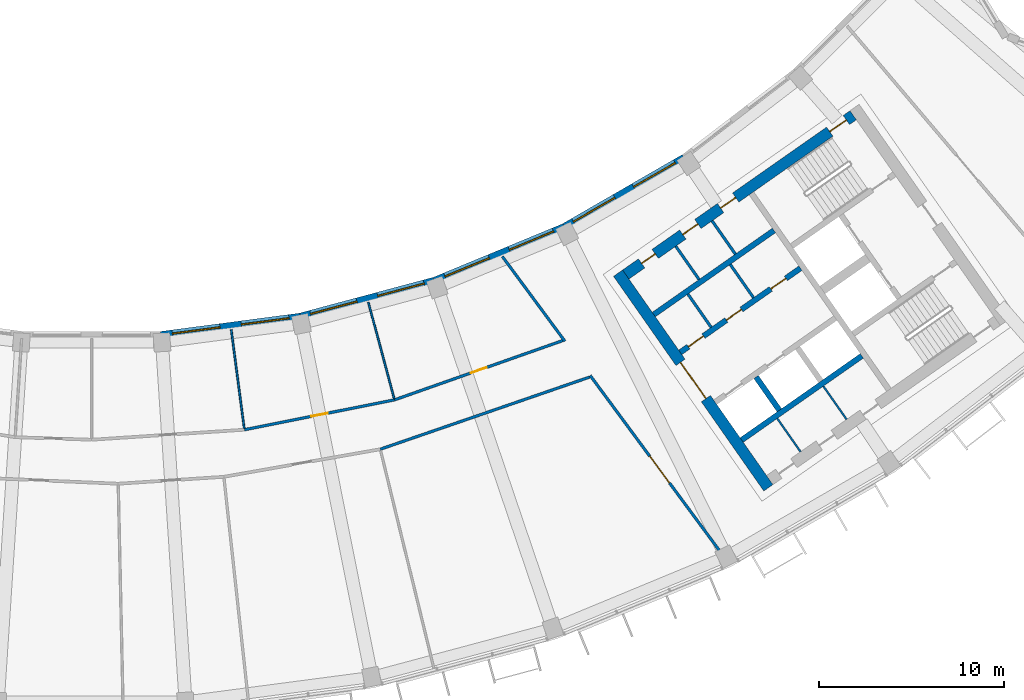
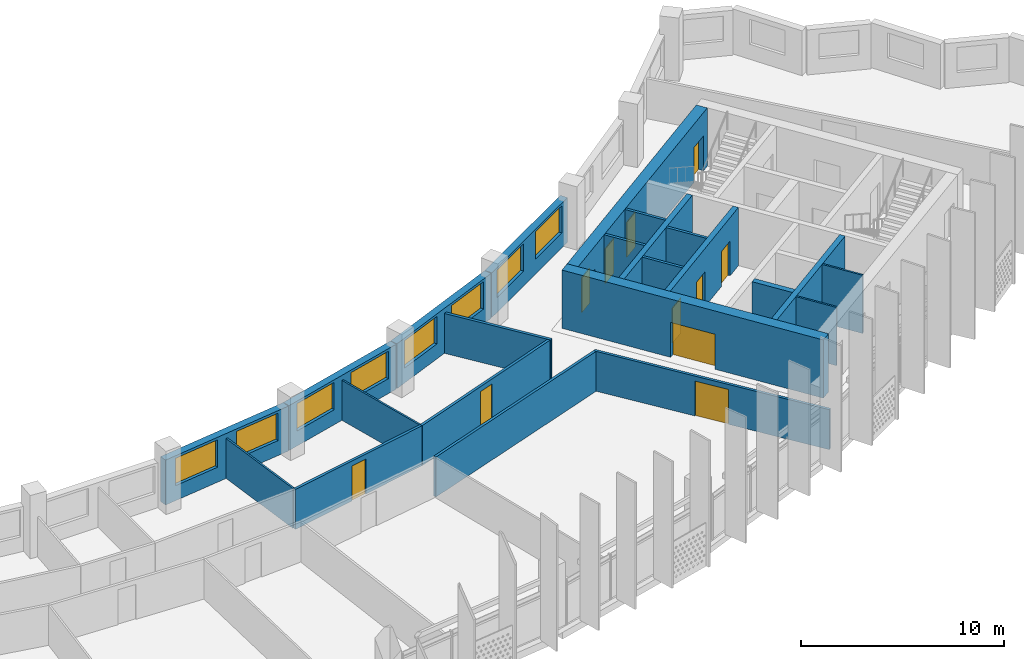
# One storey, part 6 of 28: 23 walls, 11 doors, 8 windows, 19 openings.
"""IFC4 building model written with IfcOpenShell, lengths in metres."""

from ifc_helpers import new_model, si_unit, direction, frame, frame_2d, origin, place, context, subcontext, project, spatial, rectangle, extrude, material, layer, layer_set, type_object, element, fill, save


model = new_model("IFC4")

# Units and contexts
model_context = context("Model", 3, precision=1e-05, world=origin(), true_north=direction((0.0, 1.0)))
body_context = subcontext(model_context, "Body", "Model", "MODEL_VIEW")
ifc_project = project(units=[si_unit("LENGTHUNIT", "METRE"), si_unit("AREAUNIT", "SQUARE_METRE"), si_unit("VOLUMEUNIT", "CUBIC_METRE"), si_unit("PLANEANGLEUNIT", "RADIAN"), si_unit("MASSUNIT", "GRAM", prefix="KILO")], contexts=[model_context])

# Site, building, storey
site_placement = place(None, origin())
site = spatial("IfcSite", under=ifc_project, at=site_placement, CompositionType="ELEMENT")
building_placement = place(site_placement, origin())
building = spatial("IfcBuilding", under=site, at=building_placement, Name="Qamariyya Broadcast Tower", CompositionType="ELEMENT")
storey_placement = place(building_placement, frame((0.0, 0.0, 265.699951171875)))
storey = spatial("IfcBuildingStorey", under=building, at=storey_placement, Name="L64", CompositionType="ELEMENT", Elevation=265.699951171875)

# Wall, opening, door
ifc_material_1 = material(Name="Concrete C60/75", Category="concrete")
ifc_layer_1 = layer(ifc_material_1, 0.60009765625)
ifc_layer_set_1 = layer_set([ifc_layer_1], Name="Core wall 600 mm Concrete C60/75")
wall_type_1 = type_object("IfcWallType", Name="Core wall 600 mm Concrete C60/75", PredefinedType="SHEAR", material=ifc_layer_set_1)
wall_1_placement = place(storey_placement, frame((36.66748046875, -66.005126953125, 0.0), z_axis=(0.0, 0.0, 1.0), x_axis=(-0.573568499524, 0.819157601658, 0.0)))
wall_1 = element("IfcWall", 1, at=wall_1_placement, inside=storey, type_object=wall_type_1, Name="k-E-L64-WA", PredefinedType="SHEAR", context=body_context, shape_type="SweptSolid", body=[
    extrude(rectangle(XDim=14.19970703125, YDim=0.60009765625, at=frame_2d((7.099853515625, 0.0))), origin(), (0.0, 0.0, 1.0), 3.5),
])
opening_1_placement = place(wall_1_placement, frame((5.89990234375, 0.0, 0.0)))
opening_1 = element("IfcOpeningElement", 2, at=opening_1_placement, cuts=wall_1, Name="Opening KD3-E1", PredefinedType="OPENING", context=body_context, shape_type="SweptSolid", body=[
    extrude(rectangle(XDim=2.39990234375, YDim=2.10009765625, at=frame_2d((1.199951171875, 1.050048828125))), frame((0.0, 0.31005859375, 0.0), z_axis=(0.0, -1.0, 0.0), x_axis=(1.0, 0.0, 0.0)), (0.0, 0.0, 1.0), 0.6201171875),
])
ifc_material_2 = material(Name="Steel fire-resisting door leaf", Category="steel")
door_type_1 = type_object("IfcDoorType", Name="Lift lobby door KD3", OperationType="DOUBLE_DOOR_SINGLE_SWING", PredefinedType="DOOR", material=ifc_material_2)
door_1_placement = place(opening_1_placement, origin())
door_1 = element("IfcDoor", 3, at=door_1_placement, inside=storey, type_object=door_type_1, Name="k-E-L64-WA-D1", OperationType="DOUBLE_DOOR_SINGLE_SWING", OverallHeight=2.10009765625, OverallWidth=2.39990234375, PredefinedType="DOOR", context=body_context, shape_type="SweptSolid", body=[
    extrude(rectangle(XDim=2.39990234375, YDim=2.10009765625, at=frame_2d((1.199951171875, 1.050048828125))), frame((0.0, 0.02490234375, 0.0), z_axis=(0.0, -1.0, 0.0), x_axis=(1.0, 0.0, 0.0)), (0.0, 0.0, 1.0), 0.050048828125),
])
fill(opening_1, door_1)

# Wall, openings, doors
wall_2_placement = place(storey_placement, frame((28.940673828125, -54.447021484375, 0.0), z_axis=(0.0, 0.0, 1.0), x_axis=(0.819153391756, 0.573574511963, 0.0)))
wall_2 = element("IfcWall", 4, at=wall_2_placement, inside=storey, type_object=wall_type_1, Name="k-E-L64-WI", PredefinedType="SHEAR", context=body_context, shape_type="SweptSolid", body=[
    extrude(rectangle(XDim=15.04541015625, YDim=0.60009765625, at=frame_2d((7.522705078125, 0.0))), origin(), (0.0, 0.0, 1.0), 3.5),
])
opening_2_placement = place(wall_2_placement, frame((1.050048828125, 0.0, 0.0)))
opening_2 = element("IfcOpeningElement", 5, at=opening_2_placement, cuts=wall_2, Name="Opening KD5-E1", PredefinedType="OPENING", context=body_context, shape_type="SweptSolid", body=[
    extrude(rectangle(XDim=0.89990234375, YDim=2.10009765625, at=frame_2d((0.449951171875, 1.050048828125))), frame((0.0, 0.31005859375, 0.0), z_axis=(0.0, -1.0, 0.0), x_axis=(1.0, 0.0, 0.0)), (0.0, 0.0, 1.0), 0.6201171875),
])
opening_3_placement = place(wall_2_placement, frame((3.77490234375, 0.0, 0.0)))
opening_3 = element("IfcOpeningElement", 6, at=opening_3_placement, cuts=wall_2, Name="Opening KD7-E1", PredefinedType="OPENING", context=body_context, shape_type="SweptSolid", body=[
    extrude(rectangle(XDim=1.0, YDim=2.10009765625, at=frame_2d((0.5, 1.050048828125))), frame((0.0, 0.31005859375, 0.0), z_axis=(0.0, -1.0, 0.0), x_axis=(1.0, 0.0, 0.0)), (0.0, 0.0, 1.0), 0.6201171875),
])
opening_4_placement = place(wall_2_placement, frame((6.27490234375, 0.0, 0.0)))
opening_4 = element("IfcOpeningElement", 7, at=opening_4_placement, cuts=wall_2, Name="Opening KD6-E3", PredefinedType="OPENING", context=body_context, shape_type="SweptSolid", body=[
    extrude(rectangle(XDim=1.0, YDim=2.10009765625, at=frame_2d((0.5, 1.050048828125))), frame((0.0, 0.31005859375, 0.0), z_axis=(0.0, -1.0, 0.0), x_axis=(1.0, 0.0, 0.0)), (0.0, 0.0, 1.0), 0.6201171875),
])
opening_5_placement = place(wall_2_placement, frame((13.495361328125, 0.0, 0.0)))
opening_5 = element("IfcOpeningElement", 8, at=opening_5_placement, cuts=wall_2, Name="Opening KD1-E1", PredefinedType="OPENING", context=body_context, shape_type="SweptSolid", body=[
    extrude(rectangle(XDim=1.10009765625, YDim=2.10009765625, at=frame_2d((0.550048828125, 1.050048828125))), frame((0.0, 0.31005859375, 0.0), z_axis=(0.0, -1.0, 0.0), x_axis=(1.0, 0.0, 0.0)), (0.0, 0.0, 1.0), 0.6201171875),
])
door_type_2 = type_object("IfcDoorType", Name="Accessible toilet door KD7", OperationType="SINGLE_SWING_LEFT", PredefinedType="DOOR", material=ifc_material_2)
door_2_placement = place(opening_3_placement, origin())
door_2 = element("IfcDoor", 9, at=door_2_placement, inside=storey, type_object=door_type_2, Name="k-E-L64-WI-D8", OperationType="SINGLE_SWING_RIGHT", OverallHeight=2.10009765625, OverallWidth=1.0, PredefinedType="DOOR", context=body_context, shape_type="SweptSolid", body=[
    extrude(rectangle(XDim=1.0, YDim=2.10009765625, at=frame_2d((0.5, 1.050048828125))), frame((0.0, 0.02490234375, 0.0), z_axis=(0.0, -1.0, 0.0), x_axis=(1.0, 0.0, 0.0)), (0.0, 0.0, 1.0), 0.050048828125),
])
fill(opening_3, door_2)
door_type_3 = type_object("IfcDoorType", Name="Core room door KD6", OperationType="SINGLE_SWING_LEFT", PredefinedType="DOOR", material=ifc_material_2)
door_3_placement = place(opening_4_placement, origin())
door_3 = element("IfcDoor", 10, at=door_3_placement, inside=storey, type_object=door_type_3, Name="k-E-L64-WI-D9", OperationType="SINGLE_SWING_LEFT", OverallHeight=2.10009765625, OverallWidth=1.0, PredefinedType="DOOR", context=body_context, shape_type="SweptSolid", body=[
    extrude(rectangle(XDim=1.0, YDim=2.10009765625, at=frame_2d((0.5, 1.050048828125))), frame((0.0, 0.02490234375, 0.0), z_axis=(0.0, -1.0, 0.0), x_axis=(1.0, 0.0, 0.0)), (0.0, 0.0, 1.0), 0.050048828125),
])
fill(opening_4, door_3)
door_type_4 = type_object("IfcDoorType", Name="Stair door KD1", OperationType="SINGLE_SWING_LEFT", PredefinedType="DOOR", material=ifc_material_2)
door_4_placement = place(opening_5_placement, origin())
door_4 = element("IfcDoor", 11, at=door_4_placement, inside=storey, type_object=door_type_4, Name="k-E-L64-WI-D16", OperationType="SINGLE_SWING_RIGHT", OverallHeight=2.10009765625, OverallWidth=1.10009765625, PredefinedType="DOOR", context=body_context, shape_type="SweptSolid", body=[
    extrude(rectangle(XDim=1.10009765625, YDim=2.10009765625, at=frame_2d((0.550048828125, 1.050048828125))), frame((0.0, 0.02490234375, 0.0), z_axis=(0.0, -1.0, 0.0), x_axis=(1.0, 0.0, 0.0)), (0.0, 0.0, 1.0), 0.050048828125),
])
fill(opening_5, door_4)
door_type_5 = type_object("IfcDoorType", Name="Toilet door KD5", OperationType="SINGLE_SWING_LEFT", PredefinedType="DOOR", material=ifc_material_2)
door_5_placement = place(opening_2_placement, origin())
door_5 = element("IfcDoor", 12, at=door_5_placement, inside=storey, type_object=door_type_5, Name="k-E-L64-WI-D7", OperationType="SINGLE_SWING_LEFT", OverallHeight=2.10009765625, OverallWidth=0.89990234375, PredefinedType="DOOR", context=body_context, shape_type="SweptSolid", body=[
    extrude(rectangle(XDim=0.89990234375, YDim=2.10009765625, at=frame_2d((0.449951171875, 1.050048828125))), frame((0.0, 0.02490234375, 0.0), z_axis=(0.0, -1.0, 0.0), x_axis=(1.0, 0.0, 0.0)), (0.0, 0.0, 1.0), 0.050048828125),
])
fill(opening_2, door_5)

# Wall, opening, door
ifc_material_3 = material(Name="Gypsum board partition")
ifc_layer_2 = layer(ifc_material_3, 0.14990234375)
ifc_layer_set_2 = layer_set([ifc_layer_2], Name="Corridor partition 150 EI 60")
wall_type_2 = type_object("IfcWallType", Name="Corridor partition 150 EI 60", PredefinedType="PARTITIONING", material=ifc_layer_set_2)
wall_3_placement = place(storey_placement, frame((8.275390625, -62.857666015625, 0.0), z_axis=(0.0, 0.0, 1.0), x_axis=(0.98078508005, 0.195091329256, 0.0)))
wall_3 = element("IfcWall", 13, at=wall_3_placement, inside=storey, type_object=wall_type_2, Name="Partition L64-022", PredefinedType="PARTITIONING", context=body_context, shape_type="SweptSolid", body=[
    extrude(rectangle(XDim=8.293212890625, YDim=0.14990234375, at=frame_2d((4.146484375, 0.0))), origin(), (0.0, 0.0, 1.0), 2.400146484375),
])
opening_6_placement = place(wall_3_placement, frame((3.696533203125, 0.0, 0.0)))
opening_6 = element("IfcOpeningElement", 14, at=opening_6_placement, cuts=wall_3, Name="Opening L64-D12", PredefinedType="OPENING", context=body_context, shape_type="SweptSolid", body=[
    extrude(rectangle(XDim=0.89990234375, YDim=2.10009765625, at=frame_2d((0.449951171875, 1.050048828125))), frame((0.0, 0.0849609375, 0.0), z_axis=(0.0, -1.0, 0.0), x_axis=(1.0, 0.0, 0.0)), (0.0, 0.0, 1.0), 0.169921875),
])
ifc_material_4 = material(Name="Timber fire door leaf", Category="wood")
door_type_6 = type_object("IfcDoorType", Name="Fire door 900 x 2100 FD60", OperationType="NOTDEFINED", PredefinedType="DOOR", material=ifc_material_4)
door_6_placement = place(opening_6_placement, origin())
door_6 = element("IfcDoor", 15, at=door_6_placement, inside=storey, type_object=door_type_6, Name="Door L64-D12", OperationType="SINGLE_SWING_RIGHT", OverallHeight=2.10009765625, OverallWidth=0.89990234375, PredefinedType="DOOR", context=body_context, shape_type="SweptSolid", body=[
    extrude(rectangle(XDim=0.89990234375, YDim=2.10009765625, at=frame_2d((0.449951171875, 1.050048828125))), frame((0.0, 0.02490234375, 0.0), z_axis=(0.0, -1.0, 0.0), x_axis=(1.0, 0.0, 0.0)), (0.0, 0.0, 1.0), 0.050048828125),
])
fill(opening_6, door_6)

# Wall
wall_4_placement = place(storey_placement, frame((15.637939453125, -63.914794921875, 0.0), z_axis=(0.0, 0.0, 1.0), x_axis=(0.94543542925, 0.325809528895, 0.0)))
element("IfcWall", 16, at=wall_4_placement, inside=storey, type_object=wall_type_2, Name="Partition L64-025", PredefinedType="PARTITIONING", context=body_context, shape_type="SweptSolid", body=[
    extrude(rectangle(XDim=12.003662109375, YDim=0.14990234375, at=frame_2d((6.001953125, 0.0))), origin(), (0.0, 0.0, 1.0), 2.400146484375),
])

# Wall, opening, door
wall_5_placement = place(storey_placement, frame((16.4091796875, -61.23974609375, 0.0), z_axis=(0.0, 0.0, 1.0), x_axis=(0.94318552037, 0.332266570941, 0.0)))
wall_5 = element("IfcWall", 17, at=wall_5_placement, inside=storey, type_object=wall_type_2, Name="Partition L64-026", PredefinedType="PARTITIONING", context=body_context, shape_type="SweptSolid", body=[
    extrude(rectangle(XDim=9.66748046875, YDim=0.14990234375, at=frame_2d((4.833740234375, 0.0))), origin(), (0.0, 0.0, 1.0), 2.400146484375),
])
opening_7_placement = place(wall_5_placement, frame((4.3837890625, 0.0, 0.0)))
opening_7 = element("IfcOpeningElement", 18, at=opening_7_placement, cuts=wall_5, Name="Opening L64-D13", PredefinedType="OPENING", context=body_context, shape_type="SweptSolid", body=[
    extrude(rectangle(XDim=0.89990234375, YDim=2.10009765625, at=frame_2d((0.449951171875, 1.050048828125))), frame((0.0, 0.0849609375, 0.0), z_axis=(0.0, -1.0, 0.0), x_axis=(1.0, 0.0, 0.0)), (0.0, 0.0, 1.0), 0.169921875),
])
door_7_placement = place(opening_7_placement, origin())
door_7 = element("IfcDoor", 19, at=door_7_placement, inside=storey, type_object=door_type_6, Name="Door L64-D13", OperationType="SINGLE_SWING_RIGHT", OverallHeight=2.10009765625, OverallWidth=0.89990234375, PredefinedType="DOOR", context=body_context, shape_type="SweptSolid", body=[
    extrude(rectangle(XDim=0.89990234375, YDim=2.10009765625, at=frame_2d((0.449951171875, 1.050048828125))), frame((0.0, 0.02490234375, 0.0), z_axis=(0.0, -1.0, 0.0), x_axis=(1.0, 0.0, 0.0)), (0.0, 0.0, 1.0), 0.050048828125),
])
fill(opening_7, door_7)

# Wall
wall_6_placement = place(storey_placement, frame((22.251953125, -53.469482421875, 0.0), z_axis=(0.0, 0.0, 1.0), x_axis=(0.593872728047, -0.804558999006, 0.0)))
element("IfcWall", 20, at=wall_6_placement, inside=storey, type_object=wall_type_2, Name="Partition L64-028", PredefinedType="PARTITIONING", context=body_context, shape_type="SweptSolid", body=[
    extrude(rectangle(XDim=5.709228515625, YDim=0.14990234375, at=frame_2d((2.8544921875, 0.0))), origin(), (0.0, 0.0, 1.0), 2.400146484375),
])

# Wall, opening, door
wall_7_placement = place(storey_placement, frame((34.534423828125, -70.109130859375, 0.0), z_axis=(0.0, 0.0, 1.0), x_axis=(-0.593869528805, 0.804561360467, 0.0)))
wall_7 = element("IfcWall", 21, at=wall_7_placement, inside=storey, type_object=wall_type_2, Name="Partition L64-029", PredefinedType="PARTITIONING", context=body_context, shape_type="SweptSolid", body=[
    extrude(rectangle(XDim=12.665283203125, YDim=0.14990234375, at=frame_2d((6.33251953125, 0.0))), origin(), (0.0, 0.0, 1.0), 2.400146484375),
])
opening_8_placement = place(wall_7_placement, frame((5.4326171875, 0.0, 0.0)))
opening_8 = element("IfcOpeningElement", 22, at=opening_8_placement, cuts=wall_7, Name="Opening L64-D07", PredefinedType="OPENING", context=body_context, shape_type="SweptSolid", body=[
    extrude(rectangle(XDim=1.800048828125, YDim=2.10009765625, at=frame_2d((0.89990234375, 1.050048828125))), frame((0.0, 0.0849609375, 0.0), z_axis=(0.0, -1.0, 0.0), x_axis=(1.0, 0.0, 0.0)), (0.0, 0.0, 1.0), 0.169921875),
])
door_type_7 = type_object("IfcDoorType", Name="Double fire door 1800 x 2100 FD60", OperationType="NOTDEFINED", PredefinedType="DOOR", material=ifc_material_4)
door_8_placement = place(opening_8_placement, origin())
door_8 = element("IfcDoor", 23, at=door_8_placement, inside=storey, type_object=door_type_7, Name="Door L64-D07", OperationType="DOUBLE_DOOR_SINGLE_SWING", OverallHeight=2.10009765625, OverallWidth=1.800048828125, PredefinedType="DOOR", context=body_context, shape_type="SweptSolid", body=[
    extrude(rectangle(XDim=1.800048828125, YDim=2.10009765625, at=frame_2d((0.89990234375, 1.050048828125))), frame((0.0, 0.02490234375, 0.0), z_axis=(0.0, -1.0, 0.0), x_axis=(1.0, 0.0, 0.0)), (0.0, 0.0, 1.0), 0.050048828125),
])
fill(opening_8, door_8)

# Walls
ifc_material_5 = material(Name="Gypsum board partition on steel studs", Category="steel")
ifc_layer_3 = layer(ifc_material_5, 0.14990234375)
ifc_layer_set_3 = layer_set([ifc_layer_3], Name="Gypsum board partition 150 mm")
wall_type_3 = type_object("IfcWallType", Name="Gypsum board partition 150 mm", PredefinedType="PARTITIONING", material=ifc_layer_set_3)
for number, where, z_axis, x_axis, name in (
    (24, (33.569580078125, -57.3095703125, 0.0), (0.0, 0.0, 1.0), (-0.573507030513, 0.819200638399, 0.0), "k-E-L64-NC215"),
    (25, (35.86328125, -55.70361328125, 0.0), (0.0, 0.0, 1.0), (-0.573507030513, 0.819200638399, 0.0), "k-E-L64-NC495"),
):
    element("IfcWall", number, at=place(storey_placement, frame(where, z_axis=z_axis, x_axis=x_axis)), inside=storey, type_object=wall_type_3, Name=name, PredefinedType="PARTITIONING", context=body_context, shape_type="SweptSolid", body=[
        extrude(rectangle(XDim=2.199951171875, YDim=0.14990234375, at=frame_2d((1.10009765625, 0.0))), origin(), (0.0, 0.0, 1.0), 3.5),
    ])
wall_8_placement = place(storey_placement, frame((32.9140625, -54.716796875, 0.0), z_axis=(0.0, 0.0, 1.0), x_axis=(-0.573581496053, 0.819148501424, 0.0)))
element("IfcWall", 26, at=wall_8_placement, inside=storey, type_object=wall_type_3, Name="k-E-L64-NP310", PredefinedType="PARTITIONING", context=body_context, shape_type="SweptSolid", body=[
    extrude(rectangle(XDim=2.2001953125, YDim=0.14990234375, at=frame_2d((1.10009765625, 0.0))), origin(), (0.0, 0.0, 1.0), 3.5),
])
wall_9_placement = place(storey_placement, frame((34.8798828125, -53.340087890625, 0.0), z_axis=(0.0, 0.0, 1.0), x_axis=(-0.573559170999, 0.819164133348, 0.0)))
element("IfcWall", 27, at=wall_9_placement, inside=storey, type_object=wall_type_3, Name="k-E-L64-NP550", PredefinedType="PARTITIONING", context=body_context, shape_type="SweptSolid", body=[
    extrude(rectangle(XDim=2.19970703125, YDim=0.14990234375, at=frame_2d((1.099853515625, 0.0))), origin(), (0.0, 0.0, 1.0), 3.5),
])

# Wall, openings, doors
ifc_layer_4 = layer(ifc_material_1, 0.300048828125)
ifc_layer_set_4 = layer_set([ifc_layer_4], Name="Lift shaft wall 300 mm Concrete C60/75")
wall_type_4 = type_object("IfcWallType", Name="Lift shaft wall 300 mm Concrete C60/75", PredefinedType="SOLIDWALL", material=ifc_layer_set_4)
wall_10_placement = place(storey_placement, frame((31.89453125, -58.66552734375, 0.0), z_axis=(0.0, 0.0, 1.0), x_axis=(0.819166993208, 0.573555086491, 0.0)))
wall_10 = element("IfcWall", 28, at=wall_10_placement, inside=storey, type_object=wall_type_4, Name="k-E-L64-NF0", PredefinedType="SOLIDWALL", context=body_context, shape_type="SweptSolid", body=[
    extrude(rectangle(XDim=7.9501953125, YDim=0.300048828125, at=frame_2d((3.97509765625, 0.0))), origin(), (0.0, 0.0, 1.0), 3.5),
])
opening_9_placement = place(wall_10_placement, frame((0.53759765625, 0.0, 0.0)))
opening_9 = element("IfcOpeningElement", 29, at=opening_9_placement, cuts=wall_10, Name="Opening KD6-E1", PredefinedType="OPENING", context=body_context, shape_type="SweptSolid", body=[
    extrude(rectangle(XDim=1.0, YDim=2.10009765625, at=frame_2d((0.5, 1.050048828125))), frame((0.0, 0.159912109375, 0.0), z_axis=(0.0, -1.0, 0.0), x_axis=(1.0, 0.0, 0.0)), (0.0, 0.0, 1.0), 0.320068359375),
])
opening_10_placement = place(wall_10_placement, frame((3.050048828125, 0.0, 0.0)))
opening_10 = element("IfcOpeningElement", 30, at=opening_10_placement, cuts=wall_10, Name="Opening KD6-E2", PredefinedType="OPENING", context=body_context, shape_type="SweptSolid", body=[
    extrude(rectangle(XDim=1.0, YDim=2.10009765625, at=frame_2d((0.5, 1.050048828125))), frame((0.0, 0.159912109375, 0.0), z_axis=(0.0, -1.0, 0.0), x_axis=(1.0, 0.0, 0.0)), (0.0, 0.0, 1.0), 0.320068359375),
])
opening_11_placement = place(wall_10_placement, frame((5.987548828125, 0.0, 0.0)))
opening_11 = element("IfcOpeningElement", 31, at=opening_11_placement, cuts=wall_10, Name="Opening KD4-E1", PredefinedType="OPENING", context=body_context, shape_type="SweptSolid", body=[
    extrude(rectangle(XDim=1.0, YDim=2.10009765625, at=frame_2d((0.5, 1.050048828125))), frame((0.0, 0.159912109375, 0.0), z_axis=(0.0, -1.0, 0.0), x_axis=(1.0, 0.0, 0.0)), (0.0, 0.0, 1.0), 0.320068359375),
])
door_9_placement = place(opening_9_placement, origin())
door_9 = element("IfcDoor", 32, at=door_9_placement, inside=storey, type_object=door_type_3, Name="k-E-L64-NF0-D2", OperationType="SINGLE_SWING_RIGHT", OverallHeight=2.10009765625, OverallWidth=1.0, PredefinedType="DOOR", context=body_context, shape_type="SweptSolid", body=[
    extrude(rectangle(XDim=1.0, YDim=2.10009765625, at=frame_2d((0.5, 1.050048828125))), frame((0.0, 0.02490234375, 0.0), z_axis=(0.0, -1.0, 0.0), x_axis=(1.0, 0.0, 0.0)), (0.0, 0.0, 1.0), 0.050048828125),
])
fill(opening_9, door_9)
door_10_placement = place(opening_10_placement, origin())
door_10 = element("IfcDoor", 33, at=door_10_placement, inside=storey, type_object=door_type_3, Name="k-E-L64-NF0-D3", OperationType="SINGLE_SWING_LEFT", OverallHeight=2.10009765625, OverallWidth=1.0, PredefinedType="DOOR", context=body_context, shape_type="SweptSolid", body=[
    extrude(rectangle(XDim=1.0, YDim=2.10009765625, at=frame_2d((0.5, 1.050048828125))), frame((0.0, 0.02490234375, 0.0), z_axis=(0.0, -1.0, 0.0), x_axis=(1.0, 0.0, 0.0)), (0.0, 0.0, 1.0), 0.050048828125),
])
fill(opening_10, door_10)
door_type_8 = type_object("IfcDoorType", Name="Riser and plant door KD4", OperationType="SINGLE_SWING_LEFT", PredefinedType="DOOR", material=ifc_material_2)
door_11_placement = place(opening_11_placement, origin())
door_11 = element("IfcDoor", 34, at=door_11_placement, inside=storey, type_object=door_type_8, Name="k-E-L64-NF0-D4", OperationType="SINGLE_SWING_RIGHT", OverallHeight=2.10009765625, OverallWidth=1.0, PredefinedType="DOOR", context=body_context, shape_type="SweptSolid", body=[
    extrude(rectangle(XDim=1.0, YDim=2.10009765625, at=frame_2d((0.5, 1.050048828125))), frame((0.0, 0.02490234375, 0.0), z_axis=(0.0, -1.0, 0.0), x_axis=(1.0, 0.0, 0.0)), (0.0, 0.0, 1.0), 0.050048828125),
])
fill(opening_11, door_11)

# Walls
wall_11_placement = place(storey_placement, frame((30.460693359375, -56.61767578125, 0.0), z_axis=(0.0, 0.0, 1.0), x_axis=(0.819142461705, 0.573590121456, 0.0)))
element("IfcWall", 35, at=wall_11_placement, inside=storey, type_object=wall_type_4, Name="k-E-L64-NB0", PredefinedType="SOLIDWALL", context=body_context, shape_type="SweptSolid", body=[
    extrude(rectangle(XDim=7.949951171875, YDim=0.300048828125, at=frame_2d((3.97509765625, 0.0))), origin(), (0.0, 0.0, 1.0), 3.5),
])
wall_12_placement = place(storey_placement, frame((35.22119140625, -63.41650390625, 0.0), z_axis=(0.0, 0.0, 1.0), x_axis=(0.819166993208, 0.573555086491, 0.0)))
element("IfcWall", 36, at=wall_12_placement, inside=storey, type_object=wall_type_4, Name="k-E-L64-SB0", PredefinedType="SOLIDWALL", context=body_context, shape_type="SweptSolid", body=[
    extrude(rectangle(XDim=7.9501953125, YDim=0.300048828125, at=frame_2d((3.97509765625, 0.0))), origin(), (0.0, 0.0, 1.0), 3.5),
])
wall_13_placement = place(storey_placement, frame((36.003173828125, -60.000244140625, 0.0), z_axis=(0.0, 0.0, 1.0), x_axis=(0.573581496053, -0.819148501424, 0.0)))
element("IfcWall", 37, at=wall_13_placement, inside=storey, type_object=wall_type_4, Name="k-E-L64-SD0", PredefinedType="SOLIDWALL", context=body_context, shape_type="SweptSolid", body=[
    extrude(rectangle(XDim=2.2001953125, YDim=0.300048828125, at=frame_2d((1.10009765625, 0.0))), origin(), (0.0, 0.0, 1.0), 3.5),
])
ifc_layer_5 = layer(ifc_material_3, 0.10009765625)
ifc_layer_set_5 = layer_set([ifc_layer_5], Name="Partition 100")
wall_type_5 = type_object("IfcWallType", Name="Partition 100", PredefinedType="PARTITIONING", material=ifc_layer_set_5)
wall_14_placement = place(storey_placement, frame((7.56103515625, -57.430908203125, 0.0), z_axis=(0.0, 0.0, 1.0), x_axis=(0.130516514475, -0.991446135425, 0.0)))
element("IfcWall", 38, at=wall_14_placement, inside=storey, type_object=wall_type_5, Name="Partition L64-021", PredefinedType="PARTITIONING", context=body_context, shape_type="SweptSolid", body=[
    extrude(rectangle(XDim=5.3984375, YDim=0.10009765625, at=frame_2d((2.69921875, 0.0))), origin(), (0.0, 0.0, 1.0), 2.400146484375),
])
wall_15_placement = place(storey_placement, frame((14.992431640625, -55.952880859375, 0.0), z_axis=(0.0, 0.0, 1.0), x_axis=(0.258825000964, -0.965924230401, 0.0)))
element("IfcWall", 39, at=wall_15_placement, inside=storey, type_object=wall_type_5, Name="Partition L64-024", PredefinedType="PARTITIONING", context=body_context, shape_type="SweptSolid", body=[
    extrude(rectangle(XDim=5.398193359375, YDim=0.10009765625, at=frame_2d((2.69921875, 0.0))), origin(), (0.0, 0.0, 1.0), 2.400146484375),
])
ifc_material_6 = material(Name="Fire-rated gypsum shaft liner on steel studs", Category="steel")
ifc_layer_6 = layer(ifc_material_6, 0.10009765625)
ifc_layer_set_6 = layer_set([ifc_layer_6], Name="Riser wall 100 mm")
wall_type_6 = type_object("IfcWallType", Name="Riser wall 100 mm", PredefinedType="PLUMBINGWALL", material=ifc_layer_set_6)
for number, where, z_axis, x_axis, name in (
    (40, (37.150390625, -62.2490234375, 0.0), (0.0, 0.0, 1.0), (0.573633636671, -0.819111989218, 0.0), "k-E-L64-SP225"),
    (41, (39.64892578125, -60.49951171875, 0.0), (0.0, 0.0, 1.0), (0.573507030513, -0.819200638399, 0.0), "k-E-L64-SP530"),
):
    element("IfcWall", number, at=place(storey_placement, frame(where, z_axis=z_axis, x_axis=x_axis)), inside=storey, type_object=wall_type_6, Name=name, PredefinedType="PLUMBINGWALL", context=body_context, shape_type="SweptSolid", body=[
        extrude(rectangle(XDim=2.199951171875, YDim=0.10009765625, at=frame_2d((1.10009765625, 0.0))), origin(), (0.0, 0.0, 1.0), 3.5),
    ])

# Wall, openings, windows
ifc_material_7 = material(Name="Terracotta", Category="masonry")
ifc_layer_7 = layer(ifc_material_7, 0.39990234375)
ifc_layer_set_7 = layer_set([ifc_layer_7], Name="Terracotta clad wall 400")
wall_type_7 = type_object("IfcWallType", Name="Terracotta clad wall 400", PredefinedType="SOLIDWALL", material=ifc_layer_set_7)
wall_16_placement = place(storey_placement, frame((25.609619140625, -51.875, 0.0), z_axis=(0.0, 0.0, 1.0), x_axis=(-0.923887531937, -0.382664119472, 0.0)))
wall_16 = element("IfcWall", 42, at=wall_16_placement, inside=storey, type_object=wall_type_7, Name="e-wl-L64-in100", PredefinedType="SOLIDWALL", context=body_context, shape_type="SweptSolid", body=[
    extrude(rectangle(XDim=7.6171875, YDim=0.39990234375, at=frame_2d((3.80859375, 0.0))), origin(), (0.0, 0.0, 1.0), 2.699951171875),
])
opening_12_placement = place(wall_16_placement, frame((4.393798828125, 0.0, 0.89990234375)))
opening_12 = element("IfcOpeningElement", 43, at=opening_12_placement, cuts=wall_16, Name="Opening W1", PredefinedType="OPENING", context=body_context, shape_type="SweptSolid", body=[
    extrude(rectangle(XDim=2.60009765625, YDim=1.64990234375, at=frame_2d((1.300048828125, 0.824951171875))), frame((0.0, 0.2099609375, 0.0), z_axis=(0.0, -1.0, 0.0), x_axis=(1.0, 0.0, 0.0)), (0.0, 0.0, 1.0), 0.419921875),
])
opening_13_placement = place(wall_16_placement, frame((0.623291015625, 0.0, 0.89990234375)))
opening_13 = element("IfcOpeningElement", 44, at=opening_13_placement, cuts=wall_16, Name="Opening W1", PredefinedType="OPENING", context=body_context, shape_type="SweptSolid", body=[
    extrude(rectangle(XDim=2.60009765625, YDim=1.64990234375, at=frame_2d((1.300048828125, 0.824951171875))), frame((0.0, 0.2099609375, 0.0), z_axis=(0.0, -1.0, 0.0), x_axis=(1.0, 0.0, 0.0)), (0.0, 0.0, 1.0), 0.419921875),
])
ifc_material_8 = material(Name="Clear low-e double glazed unit in aluminium frame", Category="aluminium")
window_type = type_object("IfcWindowType", Name="Ribbon window 2600 x 1650", PartitioningType="SINGLE_PANEL", PredefinedType="WINDOW", material=ifc_material_8)
window_1_placement = place(opening_12_placement, origin())
window_1 = element("IfcWindow", 45, at=window_1_placement, inside=storey, type_object=window_type, Name="e-w-L64-in10-0", OverallHeight=1.64990234375, OverallWidth=2.60009765625, PartitioningType="SINGLE_PANEL", PredefinedType="WINDOW", context=body_context, shape_type="SweptSolid", body=[
    extrude(rectangle(XDim=2.60009765625, YDim=1.64990234375, at=frame_2d((1.300048828125, 0.824951171875))), frame((0.0, 0.030029296875, 0.0), z_axis=(0.0, -1.0, 0.0), x_axis=(1.0, 0.0, 0.0)), (0.0, 0.0, 1.0), 0.06005859375),
])
fill(opening_12, window_1)
window_2_placement = place(opening_13_placement, origin())
window_2 = element("IfcWindow", 46, at=window_2_placement, inside=storey, type_object=window_type, Name="e-w-L64-in10-1", OverallHeight=1.64990234375, OverallWidth=2.60009765625, PartitioningType="SINGLE_PANEL", PredefinedType="WINDOW", context=body_context, shape_type="SweptSolid", body=[
    extrude(rectangle(XDim=2.60009765625, YDim=1.64990234375, at=frame_2d((1.300048828125, 0.824951171875))), frame((0.0, 0.030029296875, 0.0), z_axis=(0.0, -1.0, 0.0), x_axis=(1.0, 0.0, 0.0)), (0.0, 0.0, 1.0), 0.06005859375),
])
fill(opening_13, window_2)

wall_17_placement = place(storey_placement, frame((32.095947265625, -48.126220703125, 0.0), z_axis=(0.0, 0.0, 1.0), x_axis=(-0.866016763373, -0.500014965334, 0.0)))
wall_17 = element("IfcWall", 47, at=wall_17_placement, inside=storey, type_object=wall_type_7, Name="e-wl-L64-in110", PredefinedType="SOLIDWALL", context=body_context, shape_type="SweptSolid", body=[
    extrude(rectangle(XDim=7.465576171875, YDim=0.39990234375, at=frame_2d((3.73291015625, 0.0))), origin(), (0.0, 0.0, 1.0), 2.699951171875),
])
opening_14_placement = place(wall_17_placement, frame((4.318115234375, 0.0, 0.89990234375)))
opening_14 = element("IfcOpeningElement", 48, at=opening_14_placement, cuts=wall_17, Name="Opening W1", PredefinedType="OPENING", context=body_context, shape_type="SweptSolid", body=[
    extrude(rectangle(XDim=2.60009765625, YDim=1.64990234375, at=frame_2d((1.300048828125, 0.824951171875))), frame((0.0, 0.2099609375, 0.0), z_axis=(0.0, -1.0, 0.0), x_axis=(1.0, 0.0, 0.0)), (0.0, 0.0, 1.0), 0.419921875),
])
opening_15_placement = place(wall_17_placement, frame((0.547607421875, 0.0, 0.89990234375)))
opening_15 = element("IfcOpeningElement", 49, at=opening_15_placement, cuts=wall_17, Name="Opening W1", PredefinedType="OPENING", context=body_context, shape_type="SweptSolid", body=[
    extrude(rectangle(XDim=2.60009765625, YDim=1.64990234375, at=frame_2d((1.300048828125, 0.824951171875))), frame((0.0, 0.2099609375, 0.0), z_axis=(0.0, -1.0, 0.0), x_axis=(1.0, 0.0, 0.0)), (0.0, 0.0, 1.0), 0.419921875),
])
window_3_placement = place(opening_14_placement, origin())
window_3 = element("IfcWindow", 50, at=window_3_placement, inside=storey, type_object=window_type, Name="e-w-L64-in11-0", OverallHeight=1.64990234375, OverallWidth=2.60009765625, PartitioningType="SINGLE_PANEL", PredefinedType="WINDOW", context=body_context, shape_type="SweptSolid", body=[
    extrude(rectangle(XDim=2.60009765625, YDim=1.64990234375, at=frame_2d((1.300048828125, 0.824951171875))), frame((0.0, 0.030029296875, 0.0), z_axis=(0.0, -1.0, 0.0), x_axis=(1.0, 0.0, 0.0)), (0.0, 0.0, 1.0), 0.06005859375),
])
fill(opening_14, window_3)
window_4_placement = place(opening_15_placement, origin())
window_4 = element("IfcWindow", 51, at=window_4_placement, inside=storey, type_object=window_type, Name="e-w-L64-in11-1", OverallHeight=1.64990234375, OverallWidth=2.60009765625, PartitioningType="SINGLE_PANEL", PredefinedType="WINDOW", context=body_context, shape_type="SweptSolid", body=[
    extrude(rectangle(XDim=2.60009765625, YDim=1.64990234375, at=frame_2d((1.300048828125, 0.824951171875))), frame((0.0, 0.030029296875, 0.0), z_axis=(0.0, -1.0, 0.0), x_axis=(1.0, 0.0, 0.0)), (0.0, 0.0, 1.0), 0.06005859375),
])
fill(opening_15, window_4)

wall_18_placement = place(storey_placement, frame((11.310791015625, -56.735595703125, 0.0), z_axis=(0.0, 0.0, 1.0), x_axis=(-0.991446548217, -0.130513378733, 0.0)))
wall_18 = element("IfcWall", 52, at=wall_18_placement, inside=storey, type_object=wall_type_7, Name="e-wl-L64-in80", PredefinedType="SOLIDWALL", context=body_context, shape_type="SweptSolid", body=[
    extrude(rectangle(XDim=7.6171875, YDim=0.39990234375, at=frame_2d((3.80859375, 0.0))), origin(), (0.0, 0.0, 1.0), 2.699951171875),
])
opening_16_placement = place(wall_18_placement, frame((4.393798828125, 0.0, 0.89990234375)))
opening_16 = element("IfcOpeningElement", 53, at=opening_16_placement, cuts=wall_18, Name="Opening W1", PredefinedType="OPENING", context=body_context, shape_type="SweptSolid", body=[
    extrude(rectangle(XDim=2.60009765625, YDim=1.64990234375, at=frame_2d((1.300048828125, 0.824951171875))), frame((0.0, 0.2099609375, 0.0), z_axis=(0.0, -1.0, 0.0), x_axis=(1.0, 0.0, 0.0)), (0.0, 0.0, 1.0), 0.419921875),
])
opening_17_placement = place(wall_18_placement, frame((0.623291015625, 0.0, 0.89990234375)))
opening_17 = element("IfcOpeningElement", 54, at=opening_17_placement, cuts=wall_18, Name="Opening W1", PredefinedType="OPENING", context=body_context, shape_type="SweptSolid", body=[
    extrude(rectangle(XDim=2.60009765625, YDim=1.64990234375, at=frame_2d((1.300048828125, 0.824951171875))), frame((0.0, 0.2099609375, 0.0), z_axis=(0.0, -1.0, 0.0), x_axis=(1.0, 0.0, 0.0)), (0.0, 0.0, 1.0), 0.419921875),
])
window_5_placement = place(opening_16_placement, origin())
window_5 = element("IfcWindow", 55, at=window_5_placement, inside=storey, type_object=window_type, Name="e-w-L64-in08-0", OverallHeight=1.64990234375, OverallWidth=2.60009765625, PartitioningType="SINGLE_PANEL", PredefinedType="WINDOW", context=body_context, shape_type="SweptSolid", body=[
    extrude(rectangle(XDim=2.60009765625, YDim=1.64990234375, at=frame_2d((1.300048828125, 0.824951171875))), frame((0.0, 0.030029296875, 0.0), z_axis=(0.0, -1.0, 0.0), x_axis=(1.0, 0.0, 0.0)), (0.0, 0.0, 1.0), 0.06005859375),
])
fill(opening_16, window_5)
window_6_placement = place(opening_17_placement, origin())
window_6 = element("IfcWindow", 56, at=window_6_placement, inside=storey, type_object=window_type, Name="e-w-L64-in08-1", OverallHeight=1.64990234375, OverallWidth=2.60009765625, PartitioningType="SINGLE_PANEL", PredefinedType="WINDOW", context=body_context, shape_type="SweptSolid", body=[
    extrude(rectangle(XDim=2.60009765625, YDim=1.64990234375, at=frame_2d((1.300048828125, 0.824951171875))), frame((0.0, 0.030029296875, 0.0), z_axis=(0.0, -1.0, 0.0), x_axis=(1.0, 0.0, 0.0)), (0.0, 0.0, 1.0), 0.06005859375),
])
fill(opening_17, window_6)

wall_19_placement = place(storey_placement, frame((18.54638671875, -54.79345703125, 0.0), z_axis=(0.0, 0.0, 1.0), x_axis=(-0.965923236695, -0.258828709406, 0.0)))
wall_19 = element("IfcWall", 57, at=wall_19_placement, inside=storey, type_object=wall_type_7, Name="e-wl-L64-in90", PredefinedType="SOLIDWALL", context=body_context, shape_type="SweptSolid", body=[
    extrude(rectangle(XDim=7.4658203125, YDim=0.39990234375, at=frame_2d((3.73291015625, 0.0))), origin(), (0.0, 0.0, 1.0), 2.699951171875),
])
opening_18_placement = place(wall_19_placement, frame((4.318115234375, 0.0, 0.89990234375)))
opening_18 = element("IfcOpeningElement", 58, at=opening_18_placement, cuts=wall_19, Name="Opening W1", PredefinedType="OPENING", context=body_context, shape_type="SweptSolid", body=[
    extrude(rectangle(XDim=2.60009765625, YDim=1.64990234375, at=frame_2d((1.300048828125, 0.824951171875))), frame((0.0, 0.2099609375, 0.0), z_axis=(0.0, -1.0, 0.0), x_axis=(1.0, 0.0, 0.0)), (0.0, 0.0, 1.0), 0.419921875),
])
opening_19_placement = place(wall_19_placement, frame((0.547607421875, 0.0, 0.89990234375)))
opening_19 = element("IfcOpeningElement", 59, at=opening_19_placement, cuts=wall_19, Name="Opening W1", PredefinedType="OPENING", context=body_context, shape_type="SweptSolid", body=[
    extrude(rectangle(XDim=2.60009765625, YDim=1.64990234375, at=frame_2d((1.300048828125, 0.824951171875))), frame((0.0, 0.2099609375, 0.0), z_axis=(0.0, -1.0, 0.0), x_axis=(1.0, 0.0, 0.0)), (0.0, 0.0, 1.0), 0.419921875),
])
window_7_placement = place(opening_18_placement, origin())
window_7 = element("IfcWindow", 60, at=window_7_placement, inside=storey, type_object=window_type, Name="e-w-L64-in09-0", OverallHeight=1.64990234375, OverallWidth=2.60009765625, PartitioningType="SINGLE_PANEL", PredefinedType="WINDOW", context=body_context, shape_type="SweptSolid", body=[
    extrude(rectangle(XDim=2.60009765625, YDim=1.64990234375, at=frame_2d((1.300048828125, 0.824951171875))), frame((0.0, 0.030029296875, 0.0), z_axis=(0.0, -1.0, 0.0), x_axis=(1.0, 0.0, 0.0)), (0.0, 0.0, 1.0), 0.06005859375),
])
fill(opening_18, window_7)
window_8_placement = place(opening_19_placement, origin())
window_8 = element("IfcWindow", 61, at=window_8_placement, inside=storey, type_object=window_type, Name="e-w-L64-in09-1", OverallHeight=1.64990234375, OverallWidth=2.60009765625, PartitioningType="SINGLE_PANEL", PredefinedType="WINDOW", context=body_context, shape_type="SweptSolid", body=[
    extrude(rectangle(XDim=2.60009765625, YDim=1.64990234375, at=frame_2d((1.300048828125, 0.824951171875))), frame((0.0, 0.030029296875, 0.0), z_axis=(0.0, -1.0, 0.0), x_axis=(1.0, 0.0, 0.0)), (0.0, 0.0, 1.0), 0.06005859375),
])
fill(opening_19, window_8)

save(model, "model.ifc")
